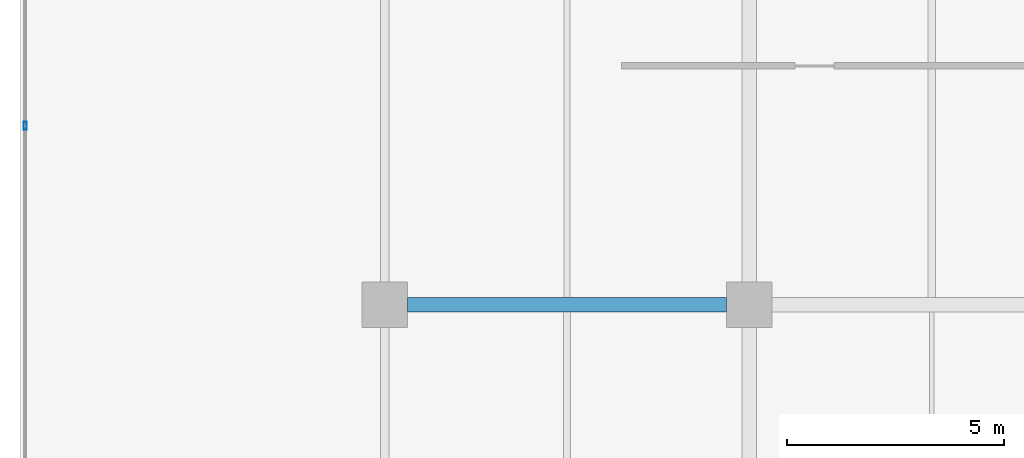
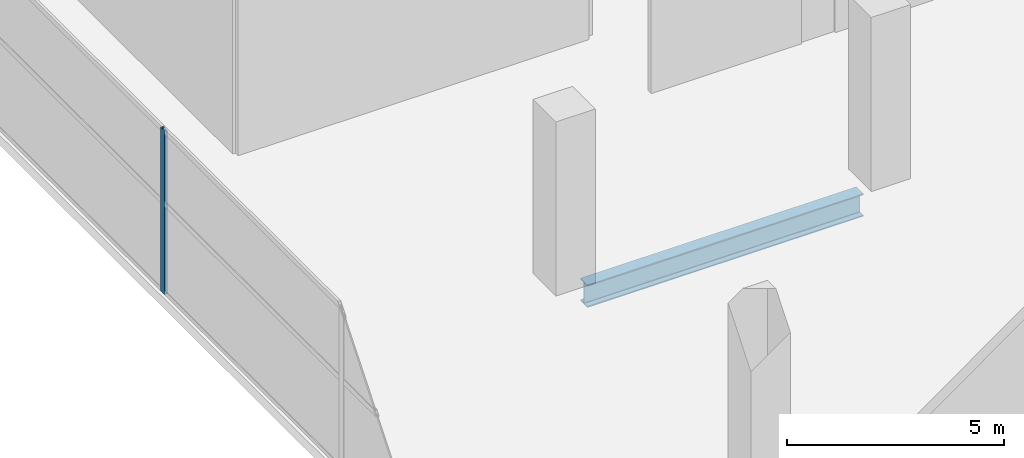
# One storey, part 11 of 39: 1 beam, 1 member, 1 element without a shape of its own.
"""IFC4 building model written with IfcOpenShell, lengths in metres."""

from ifc_helpers import new_model, si_unit, direction, frame, origin, origin_2d, place, context, subcontext, project, spatial, hollow_rectangle, i_section, extrude, material, layer, layer_set, material_profile, profile_set, type_object, element, aggregate, save


model = new_model("IFC4")

# Units and contexts
model_context = context("Model", 3, precision=1e-05, world=origin(), true_north=direction((0.0, 1.0)))
body_context = subcontext(model_context, "Body", "Model", "MODEL_VIEW")
ifc_project = project(units=[si_unit("LENGTHUNIT", "METRE"), si_unit("AREAUNIT", "SQUARE_METRE"), si_unit("VOLUMEUNIT", "CUBIC_METRE"), si_unit("PLANEANGLEUNIT", "RADIAN"), si_unit("MASSUNIT", "GRAM", prefix="KILO")], contexts=[model_context])

# Site, building, storey
site_placement = place(None, origin())
site = spatial("IfcSite", under=ifc_project, at=site_placement, CompositionType="ELEMENT")
building_placement = place(site_placement, origin())
building = spatial("IfcBuilding", under=site, at=building_placement, Name="Maruvema Waterfront Hotel and Observation Tower", CompositionType="ELEMENT")
storey_placement = place(building_placement, frame((0.0, 0.0, 16.449951171875)))
storey = spatial("IfcBuildingStorey", under=building, at=storey_placement, Name="L03", CompositionType="ELEMENT", Elevation=16.449951171875)

# Curtain wall, member
ifc_material_1 = material(Name="Anodised bronze aluminium and solar-control low-E IGU", Category="aluminium")
ifc_layer = layer(ifc_material_1, 0.159912109375, Name="Podium Waterfront Storefront Curtain Wall System CW-01")
ifc_layer_set = layer_set([ifc_layer], Name="Anodised bronze aluminium and solar-control low-E IGU")
curtain_wall_type = type_object("IfcCurtainWallType", Name="Podium Waterfront Storefront Curtain Wall System CW-01", PredefinedType="USERDEFINED", material=ifc_layer_set)
curtain_wall_placement = place(storey_placement, origin())
curtain_wall = element("IfcCurtainWall", 1, at=curtain_wall_placement, inside=storey, type_object=curtain_wall_type, Name="L03 Curtain Wall CW-L03-W", ObjectType="UNITISED CURTAIN WALL", PredefinedType="USERDEFINED")
ifc_material_2 = material(Name="Anodised architectural bronze aluminium", Category="aluminium")
ifc_material_profile_1 = material_profile(ifc_material_2, hollow_rectangle(XDim=0.070068359375, YDim=0.18994140625, WallThickness=0.00390625, at=origin_2d()), Name="ALU-M70x190")
ifc_profile_set_1 = profile_set([ifc_material_profile_1], Name="Anodised architectural bronze aluminium")
member_type = type_object("IfcMemberType", Name="Podium Storefront Heavy Mullion ALU-M70x190", PredefinedType="MULLION", material=ifc_profile_set_1)
member_placement = place(storey_placement, frame((0.1201171875, 31.1201171875, 0.0), z_axis=(0.0, 0.0, 1.0), x_axis=(1.0, 0.0, 0.0)))
member = element("IfcMember", 2, at=member_placement, type_object=member_type, Name="CW-01 mullion 3", PredefinedType="MULLION", context=body_context, shape_type="SweptSolid", body=[
    extrude(hollow_rectangle(XDim=0.070068359375, YDim=0.18994140625, WallThickness=0.00390625, at=origin_2d()), origin(), (0.0, 0.0, 1.0), 4.6201171875),
])
aggregate(curtain_wall, [member])

# Beam
ifc_material_3 = material(Name="Steel ASTM A572 Grade 50", Category="steel")
ifc_material_profile_2 = material_profile(ifc_material_3, i_section(OverallWidth=0.3291015625, OverallDepth=0.635009765625, WebThickness=0.017822265625, FlangeThickness=0.031005859375, FilletRadius=0.01806640625, at=origin_2d()), Name="W610x241.0")
ifc_profile_set_2 = profile_set([ifc_material_profile_2], Name="Steel ASTM A572 Grade 50")
beam_type = type_object("IfcBeamType", Name="Primary Floor Girder W610x241.0", PredefinedType="BEAM", material=ifc_profile_set_2)
beam_placement = place(storey_placement, frame((8.925048828125, 27.0, -0.597412109375), z_axis=(1.0, 0.0, 0.0), x_axis=(0.0, 1.0, 0.0)))
element("IfcBeam", 3, at=beam_placement, inside=storey, type_object=beam_type, Name="L03 Floor Girder EW-20", PredefinedType="BEAM", context=body_context, shape_type="SweptSolid", body=[
    extrude(i_section(OverallWidth=0.3291015625, OverallDepth=0.635009765625, WebThickness=0.017822265625, FlangeThickness=0.031005859375, FilletRadius=0.01806640625, at=origin_2d()), origin(), (0.0, 0.0, 1.0), 7.349853515625),
])

save(model, "model.ifc")
